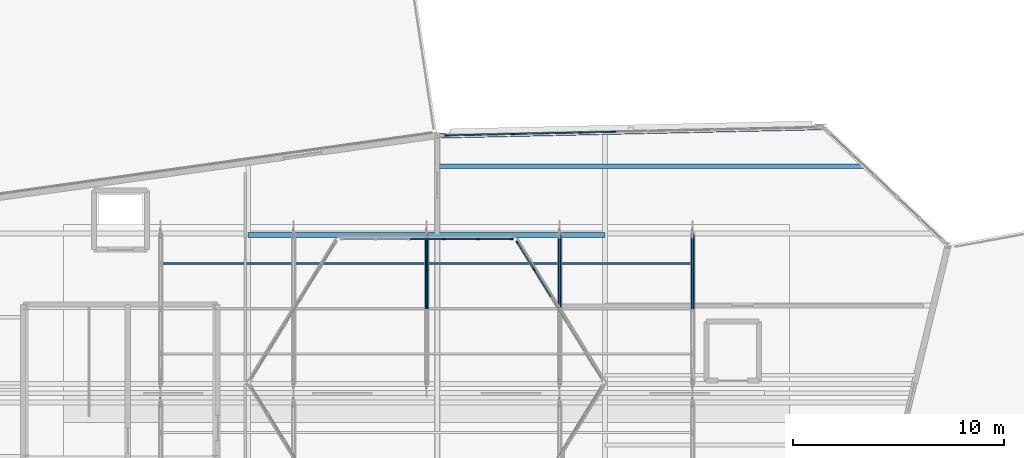
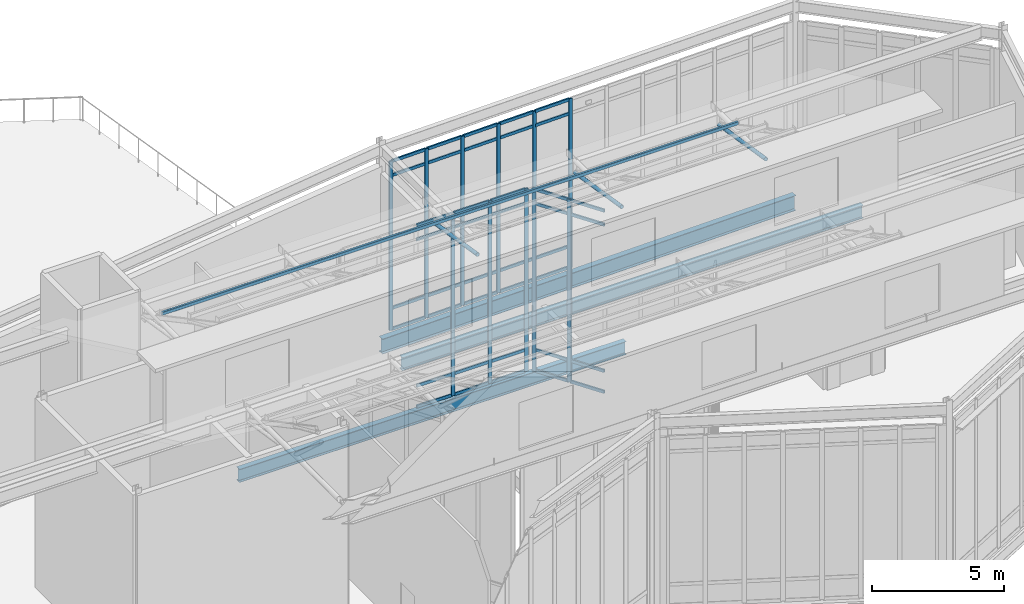
# One storey, part 29 of 66: 54 members, 4 beams, 3 elements without a shape of their own.
"""IFC4 building model written with IfcOpenShell, lengths in metres."""

from ifc_helpers import new_model, si_unit, direction, frame, origin, origin_2d, place, context, subcontext, project, spatial, rectangle, hollow_rectangle, hollow_circle, i_section, extrude, material, material_profile, profile_set, type_object, element, aggregate, save


model = new_model("IFC4")

# Units and contexts
model_context = context("Model", 3, precision=1e-05, world=origin(), true_north=direction((0.0, 1.0)))
body_context = subcontext(model_context, "Body", "Model", "MODEL_VIEW")
ifc_project = project(units=[si_unit("LENGTHUNIT", "METRE"), si_unit("AREAUNIT", "SQUARE_METRE"), si_unit("VOLUMEUNIT", "CUBIC_METRE"), si_unit("PLANEANGLEUNIT", "RADIAN"), si_unit("MASSUNIT", "GRAM", prefix="KILO")], contexts=[model_context])

# Site, building, storey
site_placement = place(None, origin())
site = spatial("IfcSite", under=ifc_project, at=site_placement, CompositionType="ELEMENT")
building_placement = place(site_placement, origin())
building = spatial("IfcBuilding", under=site, at=building_placement, Name="Tameran Prism Museum", CompositionType="ELEMENT")
storey_placement = place(building_placement, frame((0.0, 0.0, 19.800048828125)))
storey = spatial("IfcBuildingStorey", under=building, at=storey_placement, Name="L04", CompositionType="ELEMENT", Elevation=19.800048828125)

# Beams
ifc_material_1 = material(Name="Steel Grade C350L0 (350 MPa)", Category="steel")
ifc_material_profile_1 = material_profile(ifc_material_1, hollow_rectangle(XDim=0.10009765625, YDim=0.14990234375, WallThickness=0.006103515625, InnerFilletRadius=0.009033203125, OuterFilletRadius=0.014892578125, at=origin_2d()))
ifc_profile_set_1 = profile_set([ifc_material_profile_1])
beam_type_1 = type_object("IfcBeamType", Name="BM-PUR150", PredefinedType="USERDEFINED", material=ifc_profile_set_1)
beam_1_placement = place(storey_placement, frame((64.39990234375, 42.135986328125, 9.176025390625), z_axis=(1.0, 0.0, 0.0), x_axis=(0.0, 1.0, 0.0)))
element("IfcBeam", 1, at=beam_1_placement, inside=storey, type_object=beam_type_1, Name="Sawtooth Purlin PR-039", ObjectType="PURLIN", PredefinedType="USERDEFINED", context=body_context, shape_type="SweptSolid", body=[
    extrude(hollow_rectangle(XDim=0.10009765625, YDim=0.14990234375, WallThickness=0.006103515625, InnerFilletRadius=0.009033203125, OuterFilletRadius=0.014892578125, at=origin_2d()), origin(), (0.0, 0.0, 1.0), 25.2001953125),
])
ifc_material_2 = material(Name="Steel Grade 350 (350 MPa)", Category="steel")
ifc_material_profile_2 = material_profile(ifc_material_2, i_section(OverallWidth=0.25, OverallDepth=0.699951171875, WebThickness=0.010009765625, FlangeThickness=0.02001953125, at=origin_2d()))
ifc_profile_set_2 = profile_set([ifc_material_profile_2])
beam_type_2 = type_object("IfcBeamType", Name="BM-SP700", PredefinedType="SPANDREL", material=ifc_profile_set_2)
beam_2_placement = place(storey_placement, frame((95.800048828125, 48.60009765625, -0.550048828125), z_axis=(-0.999761027559, -0.021860644425, 0.0), x_axis=(0.021860644425, -0.999761027559, 0.0)))
element("IfcBeam", 2, at=beam_2_placement, inside=storey, type_object=beam_type_2, Name="Perimeter Spandrel SP-1171", PredefinedType="SPANDREL", context=body_context, shape_type="SweptSolid", body=[
    extrude(i_section(OverallWidth=0.25, OverallDepth=0.699951171875, WebThickness=0.010009765625, FlangeThickness=0.02001953125, at=origin_2d()), origin(), (0.0, 0.0, 1.0), 18.304443359375),
])
ifc_material_3 = material(Name="Steel Grade 300PLUS (300 MPa)", Category="steel")
ifc_material_profile_3 = material_profile(ifc_material_3, i_section(OverallWidth=0.22900390625, OverallDepth=0.612060546875, WebThickness=0.011962890625, FlangeThickness=0.01953125, FilletRadius=0.013916015625, at=origin_2d()))
ifc_profile_set_3 = profile_set([ifc_material_profile_3])
beam_type_3 = type_object("IfcBeamType", Name="BM-UB610A", PredefinedType="BEAM", material=ifc_profile_set_3)
beam_3_placement = place(storey_placement, frame((68.550048828125, 43.5, -0.546142578125), z_axis=(1.0, 0.0, 0.0), x_axis=(0.0, 1.0, 0.0)))
element("IfcBeam", 3, at=beam_3_placement, inside=storey, type_object=beam_type_3, Name="Atrium Transverse Trimmer ATE-1194", PredefinedType="BEAM", context=body_context, shape_type="SweptSolid", body=[
    extrude(i_section(OverallWidth=0.22900390625, OverallDepth=0.612060546875, WebThickness=0.011962890625, FlangeThickness=0.01953125, FilletRadius=0.013916015625, at=origin_2d()), origin(), (0.0, 0.0, 1.0), 16.89990234375),
])
ifc_material_4 = material(Name="Steel Grade 300PLUS (300 MPa)", Category="steel")
ifc_material_profile_4 = material_profile(ifc_material_4, i_section(OverallWidth=0.22802734375, OverallDepth=0.60693359375, WebThickness=0.01123046875, FlangeThickness=0.017333984375, FilletRadius=0.013916015625, at=origin_2d()))
ifc_profile_set_4 = profile_set([ifc_material_profile_4])
beam_type_4 = type_object("IfcBeamType", Name="BM-UB610B", PredefinedType="BEAM", material=ifc_profile_set_4)
beam_4_placement = place(storey_placement, frame((77.5400390625, 46.75, -0.503662109375), z_axis=(1.0, 0.0, 0.0), x_axis=(0.0, 1.0, 0.0)))
element("IfcBeam", 4, at=beam_4_placement, inside=storey, type_object=beam_type_4, Name="Floor Beam BM-1240", PredefinedType="BEAM", context=body_context, shape_type="SweptSolid", body=[
    extrude(i_section(OverallWidth=0.22802734375, OverallDepth=0.60693359375, WebThickness=0.01123046875, FlangeThickness=0.017333984375, FilletRadius=0.013916015625, at=origin_2d()), origin(), (0.0, 0.0, 1.0), 20.15087890625),
])

# Curtain wall, members
ifc_material_5 = material(Name="Anodised Aluminium 6063-T6 and Cyclone Solar Glass", Category="aluminium")
curtain_wall_type_1 = type_object("IfcCurtainWallType", Name="CW-ATR-769x844", PredefinedType="USERDEFINED", material=ifc_material_5)
curtain_wall_1_placement = place(storey_placement, origin())
curtain_wall_1 = element("IfcCurtainWall", 5, at=curtain_wall_1_placement, inside=storey, type_object=curtain_wall_type_1, Name="Unitised Curtain Wall CW-018", ObjectType="UNITISED CURTAIN WALL", PredefinedType="USERDEFINED")
ifc_material_6 = material(Name="Anodised Aluminium Alloy 6063-T6", Category="aluminium")
ifc_material_profile_5 = material_profile(ifc_material_6, rectangle(XDim=0.06494140625, YDim=0.159912109375, at=origin_2d()))
ifc_profile_set_5 = profile_set([ifc_material_profile_5])
member_type_1 = type_object("IfcMemberType", Name="CW-MUL-A", PredefinedType="MULLION", material=ifc_profile_set_5)
member_1_placement = place(storey_placement, frame((82.08740234375, 41.86328125, 0.0), z_axis=(0.0, 0.0, 1.0), x_axis=(-0.850791158897, -0.525503952357, 0.0)))
member_1 = element("IfcMember", 6, at=member_1_placement, type_object=member_type_1, Name="CW-018 mullion 5", PredefinedType="MULLION", context=body_context, shape_type="SweptSolid", body=[
    extrude(rectangle(XDim=0.06494140625, YDim=0.159912109375, at=origin_2d()), origin(), (0.0, 0.0, 1.0), 8.43994140625),
])
member_2_placement = place(storey_placement, frame((81.296142578125, 43.144287109375, 0.0), z_axis=(0.0, 0.0, 1.0), x_axis=(-0.850791158897, -0.525503952357, 0.0)))
member_2 = element("IfcMember", 7, at=member_2_placement, type_object=member_type_1, Name="CW-018 mullion 6", PredefinedType="MULLION", context=body_context, shape_type="SweptSolid", body=[
    extrude(rectangle(XDim=0.06494140625, YDim=0.159912109375, at=origin_2d()), origin(), (0.0, 0.0, 1.0), 8.43994140625),
])

ifc_material_7 = material(Name="Anodised Aluminium 6063-T6 and Cyclone Solar Glass", Category="aluminium")
curtain_wall_type_2 = type_object("IfcCurtainWallType", Name="CW-ATR-810x844", PredefinedType="USERDEFINED", material=ifc_material_7)
curtain_wall_2_placement = place(storey_placement, origin())
curtain_wall_2 = element("IfcCurtainWall", 8, at=curtain_wall_2_placement, inside=storey, type_object=curtain_wall_type_2, Name="Unitised Curtain Wall CW-019", ObjectType="UNITISED CURTAIN WALL", PredefinedType="USERDEFINED")
member_3_placement = place(storey_placement, frame((81.017578125, 43.300048828125, 0.0), z_axis=(0.0, 0.0, 1.0), x_axis=(0.0, -1.0, 0.0)))
member_3 = element("IfcMember", 9, at=member_3_placement, type_object=member_type_1, Name="CW-019 mullion 1", PredefinedType="MULLION", context=body_context, shape_type="SweptSolid", body=[
    extrude(rectangle(XDim=0.06494140625, YDim=0.159912109375, at=origin_2d()), origin(), (0.0, 0.0, 1.0), 8.43994140625),
])
member_4_placement = place(storey_placement, frame((79.429931640625, 43.300048828125, 0.0), z_axis=(0.0, 0.0, 1.0), x_axis=(0.0, -1.0, 0.0)))
member_4 = element("IfcMember", 10, at=member_4_placement, type_object=member_type_1, Name="CW-019 mullion 2", PredefinedType="MULLION", context=body_context, shape_type="SweptSolid", body=[
    extrude(rectangle(XDim=0.06494140625, YDim=0.159912109375, at=origin_2d()), origin(), (0.0, 0.0, 1.0), 8.43994140625),
])
member_5_placement = place(storey_placement, frame((77.81005859375, 43.300048828125, 0.0), z_axis=(0.0, 0.0, 1.0), x_axis=(0.0, -1.0, 0.0)))
member_5 = element("IfcMember", 11, at=member_5_placement, type_object=member_type_1, Name="CW-019 mullion 3", PredefinedType="MULLION", context=body_context, shape_type="SweptSolid", body=[
    extrude(rectangle(XDim=0.06494140625, YDim=0.159912109375, at=origin_2d()), origin(), (0.0, 0.0, 1.0), 8.43994140625),
])

ifc_material_8 = material(Name="Anodised Aluminium 6063-T6 and Cyclone Solar Glass", Category="aluminium")
curtain_wall_type_3 = type_object("IfcCurtainWallType", Name="CW-FAC-1754x782", PredefinedType="USERDEFINED", material=ifc_material_8)
curtain_wall_3_placement = place(storey_placement, origin())
curtain_wall_3 = element("IfcCurtainWall", 12, at=curtain_wall_3_placement, inside=storey, type_object=curtain_wall_type_3, Name="Unitised Curtain Wall CW-163", ObjectType="UNITISED CURTAIN WALL", PredefinedType="USERDEFINED")
member_6_placement = place(storey_placement, frame((77.9423828125, 48.209716796875, 0.0), z_axis=(0.0, 0.0, 1.0), x_axis=(-0.021830600058, 0.999761684053, 0.0)))
member_6 = element("IfcMember", 13, at=member_6_placement, type_object=member_type_1, Name="CW-163 mullion 1", PredefinedType="MULLION", context=body_context, shape_type="SweptSolid", body=[
    extrude(rectangle(XDim=0.06494140625, YDim=0.159912109375, at=origin_2d()), origin(), (0.0, 0.0, 1.0), 7.820068359375),
])
member_7_placement = place(storey_placement, frame((79.504638671875, 48.243896484375, 0.0), z_axis=(0.0, 0.0, 1.0), x_axis=(-0.021830600058, 0.999761684053, 0.0)))
member_7 = element("IfcMember", 14, at=member_7_placement, type_object=member_type_1, Name="CW-163 mullion 2", PredefinedType="MULLION", context=body_context, shape_type="SweptSolid", body=[
    extrude(rectangle(XDim=0.06494140625, YDim=0.159912109375, at=origin_2d()), origin(), (0.0, 0.0, 1.0), 7.820068359375),
])
member_8_placement = place(storey_placement, frame((81.09912109375, 48.278564453125, 0.0), z_axis=(0.0, 0.0, 1.0), x_axis=(-0.021830600058, 0.999761684053, 0.0)))
member_8 = element("IfcMember", 15, at=member_8_placement, type_object=member_type_1, Name="CW-163 mullion 3", PredefinedType="MULLION", context=body_context, shape_type="SweptSolid", body=[
    extrude(rectangle(XDim=0.06494140625, YDim=0.159912109375, at=origin_2d()), origin(), (0.0, 0.0, 1.0), 7.820068359375),
])
member_9_placement = place(storey_placement, frame((82.693603515625, 48.3134765625, 0.0), z_axis=(0.0, 0.0, 1.0), x_axis=(-0.021830600058, 0.999761684053, 0.0)))
member_9 = element("IfcMember", 16, at=member_9_placement, type_object=member_type_1, Name="CW-163 mullion 4", PredefinedType="MULLION", context=body_context, shape_type="SweptSolid", body=[
    extrude(rectangle(XDim=0.06494140625, YDim=0.159912109375, at=origin_2d()), origin(), (0.0, 0.0, 1.0), 7.820068359375),
])
member_10_placement = place(storey_placement, frame((84.2880859375, 48.348388671875, 0.0), z_axis=(0.0, 0.0, 1.0), x_axis=(-0.021830600058, 0.999761684053, 0.0)))
member_10 = element("IfcMember", 17, at=member_10_placement, type_object=member_type_1, Name="CW-163 mullion 5", PredefinedType="MULLION", context=body_context, shape_type="SweptSolid", body=[
    extrude(rectangle(XDim=0.06494140625, YDim=0.159912109375, at=origin_2d()), origin(), (0.0, 0.0, 1.0), 7.820068359375),
])
member_11_placement = place(storey_placement, frame((85.8828125, 48.383056640625, 0.0), z_axis=(0.0, 0.0, 1.0), x_axis=(-0.021830600058, 0.999761684053, 0.0)))
member_11 = element("IfcMember", 18, at=member_11_placement, type_object=member_type_1, Name="CW-163 mullion 6", PredefinedType="MULLION", context=body_context, shape_type="SweptSolid", body=[
    extrude(rectangle(XDim=0.06494140625, YDim=0.159912109375, at=origin_2d()), origin(), (0.0, 0.0, 1.0), 7.820068359375),
])

# Member
ifc_material_9 = material(Name="Anodised Aluminium Alloy 6063-T6", Category="aluminium")
ifc_material_profile_6 = material_profile(ifc_material_9, rectangle(XDim=0.06494140625, YDim=0.139892578125, at=origin_2d()))
ifc_profile_set_6 = profile_set([ifc_material_profile_6])
member_type_2 = type_object("IfcMemberType", Name="CW-TRN-A", PredefinedType="USERDEFINED", material=ifc_profile_set_6)
member_12_placement = place(storey_placement, frame((82.878662109375, 40.58203125, 0.032470703125), z_axis=(-0.525492880722, 0.850797997359, 0.0), x_axis=(-0.850797997359, -0.525492880722, 0.0)))
member_12 = element("IfcMember", 19, at=member_12_placement, type_object=member_type_2, Name="CW-018 transom 4.1", ObjectType="TRANSOM", PredefinedType="USERDEFINED", context=body_context, shape_type="SweptSolid", body=[
    extrude(rectangle(XDim=0.06494140625, YDim=0.139892578125, at=origin_2d()), origin(), (0.0, 0.0, 1.0), 1.47314453125),
])

member_13_placement = place(storey_placement, frame((82.878662109375, 40.58203125, 1.0), z_axis=(-0.525492880722, 0.850797997359, 0.0), x_axis=(-0.850797997359, -0.525492880722, 0.0)))
member_13 = element("IfcMember", 20, at=member_13_placement, type_object=member_type_2, Name="CW-018 transom 4.2", ObjectType="TRANSOM", PredefinedType="USERDEFINED", context=body_context, shape_type="SweptSolid", body=[
    extrude(rectangle(XDim=0.06494140625, YDim=0.139892578125, at=origin_2d()), origin(), (0.0, 0.0, 1.0), 1.47314453125),
])

member_14_placement = place(storey_placement, frame((82.878662109375, 40.58203125, 7.760009765625), z_axis=(-0.525492880722, 0.850797997359, 0.0), x_axis=(-0.850797997359, -0.525492880722, 0.0)))
member_14 = element("IfcMember", 21, at=member_14_placement, type_object=member_type_2, Name="CW-018 transom 4.3", ObjectType="TRANSOM", PredefinedType="USERDEFINED", context=body_context, shape_type="SweptSolid", body=[
    extrude(rectangle(XDim=0.06494140625, YDim=0.139892578125, at=origin_2d()), origin(), (0.0, 0.0, 1.0), 1.47314453125),
])

member_15_placement = place(storey_placement, frame((82.878662109375, 40.58203125, 8.407470703125), z_axis=(-0.525492880722, 0.850797997359, 0.0), x_axis=(-0.850797997359, -0.525492880722, 0.0)))
member_15 = element("IfcMember", 22, at=member_15_placement, type_object=member_type_2, Name="CW-018 transom 4.4", ObjectType="TRANSOM", PredefinedType="USERDEFINED", context=body_context, shape_type="SweptSolid", body=[
    extrude(rectangle(XDim=0.06494140625, YDim=0.139892578125, at=origin_2d()), origin(), (0.0, 0.0, 1.0), 1.47314453125),
])

member_16_placement = place(storey_placement, frame((82.0703125, 41.890869140625, 0.032470703125), z_axis=(-0.525467627301, 0.850813594543, 0.0), x_axis=(-0.850813594543, -0.525467627301, 0.0)))
member_16 = element("IfcMember", 23, at=member_16_placement, type_object=member_type_2, Name="CW-018 transom 5.1", ObjectType="TRANSOM", PredefinedType="USERDEFINED", context=body_context, shape_type="SweptSolid", body=[
    extrude(rectangle(XDim=0.06494140625, YDim=0.139892578125, at=origin_2d()), origin(), (0.0, 0.0, 1.0), 1.440673828125),
])

member_17_placement = place(storey_placement, frame((82.0703125, 41.890869140625, 1.0), z_axis=(-0.525467627301, 0.850813594543, 0.0), x_axis=(-0.850813594543, -0.525467627301, 0.0)))
member_17 = element("IfcMember", 24, at=member_17_placement, type_object=member_type_2, Name="CW-018 transom 5.2", ObjectType="TRANSOM", PredefinedType="USERDEFINED", context=body_context, shape_type="SweptSolid", body=[
    extrude(rectangle(XDim=0.06494140625, YDim=0.139892578125, at=origin_2d()), origin(), (0.0, 0.0, 1.0), 1.440673828125),
])

member_18_placement = place(storey_placement, frame((82.0703125, 41.890869140625, 7.760009765625), z_axis=(-0.525467627301, 0.850813594543, 0.0), x_axis=(-0.850813594543, -0.525467627301, 0.0)))
member_18 = element("IfcMember", 25, at=member_18_placement, type_object=member_type_2, Name="CW-018 transom 5.3", ObjectType="TRANSOM", PredefinedType="USERDEFINED", context=body_context, shape_type="SweptSolid", body=[
    extrude(rectangle(XDim=0.06494140625, YDim=0.139892578125, at=origin_2d()), origin(), (0.0, 0.0, 1.0), 1.440673828125),
])

member_19_placement = place(storey_placement, frame((82.0703125, 41.890869140625, 8.407470703125), z_axis=(-0.525467627301, 0.850813594543, 0.0), x_axis=(-0.850813594543, -0.525467627301, 0.0)))
member_19 = element("IfcMember", 26, at=member_19_placement, type_object=member_type_2, Name="CW-018 transom 5.4", ObjectType="TRANSOM", PredefinedType="USERDEFINED", context=body_context, shape_type="SweptSolid", body=[
    extrude(rectangle(XDim=0.06494140625, YDim=0.139892578125, at=origin_2d()), origin(), (0.0, 0.0, 1.0), 1.440673828125),
])

aggregate(curtain_wall_1, [member_1, member_2, member_12, member_13, member_14, member_15, member_16, member_17, member_18, member_19])

member_20_placement = place(storey_placement, frame((80.985107421875, 43.300048828125, 0.032470703125), z_axis=(-1.0, 0.0, 0.0), x_axis=(0.0, -1.0, 0.0)))
member_20 = element("IfcMember", 27, at=member_20_placement, type_object=member_type_2, Name="CW-019 transom 1.1", ObjectType="TRANSOM", PredefinedType="USERDEFINED", context=body_context, shape_type="SweptSolid", body=[
    extrude(rectangle(XDim=0.06494140625, YDim=0.139892578125, at=origin_2d()), origin(), (0.0, 0.0, 1.0), 1.522705078125),
])

member_21_placement = place(storey_placement, frame((80.985107421875, 43.300048828125, 1.0), z_axis=(-1.0, 0.0, 0.0), x_axis=(0.0, -1.0, 0.0)))
member_21 = element("IfcMember", 28, at=member_21_placement, type_object=member_type_2, Name="CW-019 transom 1.2", ObjectType="TRANSOM", PredefinedType="USERDEFINED", context=body_context, shape_type="SweptSolid", body=[
    extrude(rectangle(XDim=0.06494140625, YDim=0.139892578125, at=origin_2d()), origin(), (0.0, 0.0, 1.0), 1.522705078125),
])

member_22_placement = place(storey_placement, frame((80.985107421875, 43.300048828125, 7.760009765625), z_axis=(-1.0, 0.0, 0.0), x_axis=(0.0, -1.0, 0.0)))
member_22 = element("IfcMember", 29, at=member_22_placement, type_object=member_type_2, Name="CW-019 transom 1.3", ObjectType="TRANSOM", PredefinedType="USERDEFINED", context=body_context, shape_type="SweptSolid", body=[
    extrude(rectangle(XDim=0.06494140625, YDim=0.139892578125, at=origin_2d()), origin(), (0.0, 0.0, 1.0), 1.522705078125),
])

member_23_placement = place(storey_placement, frame((80.985107421875, 43.300048828125, 8.407470703125), z_axis=(-1.0, 0.0, 0.0), x_axis=(0.0, -1.0, 0.0)))
member_23 = element("IfcMember", 30, at=member_23_placement, type_object=member_type_2, Name="CW-019 transom 1.4", ObjectType="TRANSOM", PredefinedType="USERDEFINED", context=body_context, shape_type="SweptSolid", body=[
    extrude(rectangle(XDim=0.06494140625, YDim=0.139892578125, at=origin_2d()), origin(), (0.0, 0.0, 1.0), 1.522705078125),
])

member_24_placement = place(storey_placement, frame((79.3974609375, 43.300048828125, 0.032470703125), z_axis=(-1.0, 0.0, 0.0), x_axis=(0.0, -1.0, 0.0)))
member_24 = element("IfcMember", 31, at=member_24_placement, type_object=member_type_2, Name="CW-019 transom 2.1", ObjectType="TRANSOM", PredefinedType="USERDEFINED", context=body_context, shape_type="SweptSolid", body=[
    extrude(rectangle(XDim=0.06494140625, YDim=0.139892578125, at=origin_2d()), origin(), (0.0, 0.0, 1.0), 1.554931640625),
])

member_25_placement = place(storey_placement, frame((79.3974609375, 43.300048828125, 1.0), z_axis=(-1.0, 0.0, 0.0), x_axis=(0.0, -1.0, 0.0)))
member_25 = element("IfcMember", 32, at=member_25_placement, type_object=member_type_2, Name="CW-019 transom 2.2", ObjectType="TRANSOM", PredefinedType="USERDEFINED", context=body_context, shape_type="SweptSolid", body=[
    extrude(rectangle(XDim=0.06494140625, YDim=0.139892578125, at=origin_2d()), origin(), (0.0, 0.0, 1.0), 1.554931640625),
])

member_26_placement = place(storey_placement, frame((79.3974609375, 43.300048828125, 7.760009765625), z_axis=(-1.0, 0.0, 0.0), x_axis=(0.0, -1.0, 0.0)))
member_26 = element("IfcMember", 33, at=member_26_placement, type_object=member_type_2, Name="CW-019 transom 2.3", ObjectType="TRANSOM", PredefinedType="USERDEFINED", context=body_context, shape_type="SweptSolid", body=[
    extrude(rectangle(XDim=0.06494140625, YDim=0.139892578125, at=origin_2d()), origin(), (0.0, 0.0, 1.0), 1.554931640625),
])

member_27_placement = place(storey_placement, frame((79.3974609375, 43.300048828125, 8.407470703125), z_axis=(-1.0, 0.0, 0.0), x_axis=(0.0, -1.0, 0.0)))
member_27 = element("IfcMember", 34, at=member_27_placement, type_object=member_type_2, Name="CW-019 transom 2.4", ObjectType="TRANSOM", PredefinedType="USERDEFINED", context=body_context, shape_type="SweptSolid", body=[
    extrude(rectangle(XDim=0.06494140625, YDim=0.139892578125, at=origin_2d()), origin(), (0.0, 0.0, 1.0), 1.554931640625),
])

member_28_placement = place(storey_placement, frame((77.777587890625, 43.300048828125, 0.032470703125), z_axis=(-1.0, 0.0, 0.0), x_axis=(0.0, -1.0, 0.0)))
member_28 = element("IfcMember", 35, at=member_28_placement, type_object=member_type_2, Name="CW-019 transom 3.1", ObjectType="TRANSOM", PredefinedType="USERDEFINED", context=body_context, shape_type="SweptSolid", body=[
    extrude(rectangle(XDim=0.06494140625, YDim=0.139892578125, at=origin_2d()), origin(), (0.0, 0.0, 1.0), 1.55517578125),
])

member_29_placement = place(storey_placement, frame((77.777587890625, 43.300048828125, 1.0), z_axis=(-1.0, 0.0, 0.0), x_axis=(0.0, -1.0, 0.0)))
member_29 = element("IfcMember", 36, at=member_29_placement, type_object=member_type_2, Name="CW-019 transom 3.2", ObjectType="TRANSOM", PredefinedType="USERDEFINED", context=body_context, shape_type="SweptSolid", body=[
    extrude(rectangle(XDim=0.06494140625, YDim=0.139892578125, at=origin_2d()), origin(), (0.0, 0.0, 1.0), 1.55517578125),
])

member_30_placement = place(storey_placement, frame((77.777587890625, 43.300048828125, 7.760009765625), z_axis=(-1.0, 0.0, 0.0), x_axis=(0.0, -1.0, 0.0)))
member_30 = element("IfcMember", 37, at=member_30_placement, type_object=member_type_2, Name="CW-019 transom 3.3", ObjectType="TRANSOM", PredefinedType="USERDEFINED", context=body_context, shape_type="SweptSolid", body=[
    extrude(rectangle(XDim=0.06494140625, YDim=0.139892578125, at=origin_2d()), origin(), (0.0, 0.0, 1.0), 1.55517578125),
])

member_31_placement = place(storey_placement, frame((77.777587890625, 43.300048828125, 8.407470703125), z_axis=(-1.0, 0.0, 0.0), x_axis=(0.0, -1.0, 0.0)))
member_31 = element("IfcMember", 38, at=member_31_placement, type_object=member_type_2, Name="CW-019 transom 3.4", ObjectType="TRANSOM", PredefinedType="USERDEFINED", context=body_context, shape_type="SweptSolid", body=[
    extrude(rectangle(XDim=0.06494140625, YDim=0.139892578125, at=origin_2d()), origin(), (0.0, 0.0, 1.0), 1.55517578125),
])

aggregate(curtain_wall_2, [member_3, member_4, member_5, member_20, member_21, member_22, member_23, member_24, member_25, member_26, member_27, member_28, member_29, member_30, member_31])

member_32_placement = place(storey_placement, frame((77.97509765625, 48.21044921875, 0.032470703125), z_axis=(0.999761317928, 0.021847360829, 0.0), x_axis=(-0.021847360829, 0.999761317928, 0.0)))
member_32 = element("IfcMember", 39, at=member_32_placement, type_object=member_type_2, Name="CW-163 transom 1.1", ObjectType="TRANSOM", PredefinedType="USERDEFINED", context=body_context, shape_type="SweptSolid", body=[
    extrude(rectangle(XDim=0.06494140625, YDim=0.139892578125, at=origin_2d()), origin(), (0.0, 0.0, 1.0), 1.497314453125),
])

member_33_placement = place(storey_placement, frame((77.97509765625, 48.21044921875, 1.0), z_axis=(0.999761317928, 0.021847360829, 0.0), x_axis=(-0.021847360829, 0.999761317928, 0.0)))
member_33 = element("IfcMember", 40, at=member_33_placement, type_object=member_type_2, Name="CW-163 transom 1.2", ObjectType="TRANSOM", PredefinedType="USERDEFINED", context=body_context, shape_type="SweptSolid", body=[
    extrude(rectangle(XDim=0.06494140625, YDim=0.139892578125, at=origin_2d()), origin(), (0.0, 0.0, 1.0), 1.497314453125),
])

member_34_placement = place(storey_placement, frame((77.97509765625, 48.21044921875, 7.139892578125), z_axis=(0.999761317928, 0.021847360829, 0.0), x_axis=(-0.021847360829, 0.999761317928, 0.0)))
member_34 = element("IfcMember", 41, at=member_34_placement, type_object=member_type_2, Name="CW-163 transom 1.3", ObjectType="TRANSOM", PredefinedType="USERDEFINED", context=body_context, shape_type="SweptSolid", body=[
    extrude(rectangle(XDim=0.06494140625, YDim=0.139892578125, at=origin_2d()), origin(), (0.0, 0.0, 1.0), 1.497314453125),
])

member_35_placement = place(storey_placement, frame((77.97509765625, 48.21044921875, 7.787353515625), z_axis=(0.999761317928, 0.021847360829, 0.0), x_axis=(-0.021847360829, 0.999761317928, 0.0)))
member_35 = element("IfcMember", 42, at=member_35_placement, type_object=member_type_2, Name="CW-163 transom 1.4", ObjectType="TRANSOM", PredefinedType="USERDEFINED", context=body_context, shape_type="SweptSolid", body=[
    extrude(rectangle(XDim=0.06494140625, YDim=0.139892578125, at=origin_2d()), origin(), (0.0, 0.0, 1.0), 1.497314453125),
])

member_36_placement = place(storey_placement, frame((79.537109375, 48.24462890625, 0.032470703125), z_axis=(0.999764466756, 0.021702788105, 0.0), x_axis=(-0.021702788105, 0.999764466756, 0.0)))
member_36 = element("IfcMember", 43, at=member_36_placement, type_object=member_type_2, Name="CW-163 transom 2.1", ObjectType="TRANSOM", PredefinedType="USERDEFINED", context=body_context, shape_type="SweptSolid", body=[
    extrude(rectangle(XDim=0.06494140625, YDim=0.139892578125, at=origin_2d()), origin(), (0.0, 0.0, 1.0), 1.52978515625),
])

member_37_placement = place(storey_placement, frame((79.537109375, 48.24462890625, 1.0), z_axis=(0.999764466756, 0.021702788105, 0.0), x_axis=(-0.021702788105, 0.999764466756, 0.0)))
member_37 = element("IfcMember", 44, at=member_37_placement, type_object=member_type_2, Name="CW-163 transom 2.2", ObjectType="TRANSOM", PredefinedType="USERDEFINED", context=body_context, shape_type="SweptSolid", body=[
    extrude(rectangle(XDim=0.06494140625, YDim=0.139892578125, at=origin_2d()), origin(), (0.0, 0.0, 1.0), 1.52978515625),
])

member_38_placement = place(storey_placement, frame((79.537109375, 48.24462890625, 7.139892578125), z_axis=(0.999764466756, 0.021702788105, 0.0), x_axis=(-0.021702788105, 0.999764466756, 0.0)))
member_38 = element("IfcMember", 45, at=member_38_placement, type_object=member_type_2, Name="CW-163 transom 2.3", ObjectType="TRANSOM", PredefinedType="USERDEFINED", context=body_context, shape_type="SweptSolid", body=[
    extrude(rectangle(XDim=0.06494140625, YDim=0.139892578125, at=origin_2d()), origin(), (0.0, 0.0, 1.0), 1.52978515625),
])

member_39_placement = place(storey_placement, frame((79.537109375, 48.24462890625, 7.787353515625), z_axis=(0.999764466756, 0.021702788105, 0.0), x_axis=(-0.021702788105, 0.999764466756, 0.0)))
member_39 = element("IfcMember", 46, at=member_39_placement, type_object=member_type_2, Name="CW-163 transom 2.4", ObjectType="TRANSOM", PredefinedType="USERDEFINED", context=body_context, shape_type="SweptSolid", body=[
    extrude(rectangle(XDim=0.06494140625, YDim=0.139892578125, at=origin_2d()), origin(), (0.0, 0.0, 1.0), 1.52978515625),
])

member_40_placement = place(storey_placement, frame((81.131591796875, 48.279296875, 0.032470703125), z_axis=(0.999760991544, 0.021862291435, 0.0), x_axis=(-0.021862291435, 0.999760991544, 0.0)))
member_40 = element("IfcMember", 47, at=member_40_placement, type_object=member_type_2, Name="CW-163 transom 3.1", ObjectType="TRANSOM", PredefinedType="USERDEFINED", context=body_context, shape_type="SweptSolid", body=[
    extrude(rectangle(XDim=0.06494140625, YDim=0.139892578125, at=origin_2d()), origin(), (0.0, 0.0, 1.0), 1.52978515625),
])

member_41_placement = place(storey_placement, frame((81.131591796875, 48.279296875, 1.0), z_axis=(0.999760991544, 0.021862291435, 0.0), x_axis=(-0.021862291435, 0.999760991544, 0.0)))
member_41 = element("IfcMember", 48, at=member_41_placement, type_object=member_type_2, Name="CW-163 transom 3.2", ObjectType="TRANSOM", PredefinedType="USERDEFINED", context=body_context, shape_type="SweptSolid", body=[
    extrude(rectangle(XDim=0.06494140625, YDim=0.139892578125, at=origin_2d()), origin(), (0.0, 0.0, 1.0), 1.52978515625),
])

member_42_placement = place(storey_placement, frame((81.131591796875, 48.279296875, 7.139892578125), z_axis=(0.999760991544, 0.021862291435, 0.0), x_axis=(-0.021862291435, 0.999760991544, 0.0)))
member_42 = element("IfcMember", 49, at=member_42_placement, type_object=member_type_2, Name="CW-163 transom 3.3", ObjectType="TRANSOM", PredefinedType="USERDEFINED", context=body_context, shape_type="SweptSolid", body=[
    extrude(rectangle(XDim=0.06494140625, YDim=0.139892578125, at=origin_2d()), origin(), (0.0, 0.0, 1.0), 1.52978515625),
])

member_43_placement = place(storey_placement, frame((81.131591796875, 48.279296875, 7.787353515625), z_axis=(0.999760991544, 0.021862291435, 0.0), x_axis=(-0.021862291435, 0.999760991544, 0.0)))
member_43 = element("IfcMember", 50, at=member_43_placement, type_object=member_type_2, Name="CW-163 transom 3.4", ObjectType="TRANSOM", PredefinedType="USERDEFINED", context=body_context, shape_type="SweptSolid", body=[
    extrude(rectangle(XDim=0.06494140625, YDim=0.139892578125, at=origin_2d()), origin(), (0.0, 0.0, 1.0), 1.52978515625),
])

member_44_placement = place(storey_placement, frame((82.72607421875, 48.314208984375, 0.032470703125), z_axis=(0.999760991544, 0.021862291435, 0.0), x_axis=(-0.021862291435, 0.999760991544, 0.0)))
member_44 = element("IfcMember", 51, at=member_44_placement, type_object=member_type_2, Name="CW-163 transom 4.1", ObjectType="TRANSOM", PredefinedType="USERDEFINED", context=body_context, shape_type="SweptSolid", body=[
    extrude(rectangle(XDim=0.06494140625, YDim=0.139892578125, at=origin_2d()), origin(), (0.0, 0.0, 1.0), 1.52978515625),
])

member_45_placement = place(storey_placement, frame((82.72607421875, 48.314208984375, 1.0), z_axis=(0.999760991544, 0.021862291435, 0.0), x_axis=(-0.021862291435, 0.999760991544, 0.0)))
member_45 = element("IfcMember", 52, at=member_45_placement, type_object=member_type_2, Name="CW-163 transom 4.2", ObjectType="TRANSOM", PredefinedType="USERDEFINED", context=body_context, shape_type="SweptSolid", body=[
    extrude(rectangle(XDim=0.06494140625, YDim=0.139892578125, at=origin_2d()), origin(), (0.0, 0.0, 1.0), 1.52978515625),
])

member_46_placement = place(storey_placement, frame((82.72607421875, 48.314208984375, 7.139892578125), z_axis=(0.999760991544, 0.021862291435, 0.0), x_axis=(-0.021862291435, 0.999760991544, 0.0)))
member_46 = element("IfcMember", 53, at=member_46_placement, type_object=member_type_2, Name="CW-163 transom 4.3", ObjectType="TRANSOM", PredefinedType="USERDEFINED", context=body_context, shape_type="SweptSolid", body=[
    extrude(rectangle(XDim=0.06494140625, YDim=0.139892578125, at=origin_2d()), origin(), (0.0, 0.0, 1.0), 1.52978515625),
])

member_47_placement = place(storey_placement, frame((82.72607421875, 48.314208984375, 7.787353515625), z_axis=(0.999760991544, 0.021862291435, 0.0), x_axis=(-0.021862291435, 0.999760991544, 0.0)))
member_47 = element("IfcMember", 54, at=member_47_placement, type_object=member_type_2, Name="CW-163 transom 4.4", ObjectType="TRANSOM", PredefinedType="USERDEFINED", context=body_context, shape_type="SweptSolid", body=[
    extrude(rectangle(XDim=0.06494140625, YDim=0.139892578125, at=origin_2d()), origin(), (0.0, 0.0, 1.0), 1.52978515625),
])

member_48_placement = place(storey_placement, frame((84.320556640625, 48.348876953125, 0.032470703125), z_axis=(0.999761067798, 0.021858804068, 0.0), x_axis=(-0.021858804068, 0.999761067798, 0.0)))
member_48 = element("IfcMember", 55, at=member_48_placement, type_object=member_type_2, Name="CW-163 transom 5.1", ObjectType="TRANSOM", PredefinedType="USERDEFINED", context=body_context, shape_type="SweptSolid", body=[
    extrude(rectangle(XDim=0.06494140625, YDim=0.139892578125, at=origin_2d()), origin(), (0.0, 0.0, 1.0), 1.530029296875),
])

member_49_placement = place(storey_placement, frame((84.320556640625, 48.348876953125, 1.0), z_axis=(0.999761067798, 0.021858804068, 0.0), x_axis=(-0.021858804068, 0.999761067798, 0.0)))
member_49 = element("IfcMember", 56, at=member_49_placement, type_object=member_type_2, Name="CW-163 transom 5.2", ObjectType="TRANSOM", PredefinedType="USERDEFINED", context=body_context, shape_type="SweptSolid", body=[
    extrude(rectangle(XDim=0.06494140625, YDim=0.139892578125, at=origin_2d()), origin(), (0.0, 0.0, 1.0), 1.530029296875),
])

member_50_placement = place(storey_placement, frame((84.320556640625, 48.348876953125, 7.139892578125), z_axis=(0.999761067798, 0.021858804068, 0.0), x_axis=(-0.021858804068, 0.999761067798, 0.0)))
member_50 = element("IfcMember", 57, at=member_50_placement, type_object=member_type_2, Name="CW-163 transom 5.3", ObjectType="TRANSOM", PredefinedType="USERDEFINED", context=body_context, shape_type="SweptSolid", body=[
    extrude(rectangle(XDim=0.06494140625, YDim=0.139892578125, at=origin_2d()), origin(), (0.0, 0.0, 1.0), 1.530029296875),
])

member_51_placement = place(storey_placement, frame((84.320556640625, 48.348876953125, 7.787353515625), z_axis=(0.999761067798, 0.021858804068, 0.0), x_axis=(-0.021858804068, 0.999761067798, 0.0)))
member_51 = element("IfcMember", 58, at=member_51_placement, type_object=member_type_2, Name="CW-163 transom 5.4", ObjectType="TRANSOM", PredefinedType="USERDEFINED", context=body_context, shape_type="SweptSolid", body=[
    extrude(rectangle(XDim=0.06494140625, YDim=0.139892578125, at=origin_2d()), origin(), (0.0, 0.0, 1.0), 1.530029296875),
])

aggregate(curtain_wall_3, [member_6, member_7, member_8, member_9, member_10, member_11, member_32, member_33, member_34, member_35, member_36, member_37, member_38, member_39, member_40, member_41, member_42, member_43, member_44, member_45, member_46, member_47, member_48, member_49, member_50, member_51])

# Members
ifc_material_10 = material(Name="Steel Grade C350L0 (350 MPa)", Category="steel")
ifc_material_profile_7 = material_profile(ifc_material_10, hollow_circle(Radius=0.084228515625, WallThickness=0.007080078125, at=origin_2d()))
ifc_profile_set_7 = profile_set([ifc_material_profile_7])
member_type_3 = type_object("IfcMemberType", Name="MM-BR-CHS168", PredefinedType="BRACE", material=ifc_profile_set_7)
for number, where, z_axis, x_axis, name in (
    (59, (77.0, 40.0, 8.785888671875), (0.0, 0.987767358806, -0.155934745575), (-1.0, 0.0, 0.0), "Sawtooth Brace STM-0209"),
    (60, (83.300048828125, 40.0, 8.785888671875), (0.0, 0.987767358806, -0.155934745575), (-1.0, 0.0, 0.0), "Sawtooth Brace STM-0216"),
    (61, (89.60009765625, 40.0, 8.785888671875), (0.0, 0.987767358806, -0.155934745575), (-1.0, 0.0, 0.0), "Sawtooth Brace STM-0223"),
):
    element("IfcMember", number, at=place(storey_placement, frame(where, z_axis=z_axis, x_axis=x_axis)), inside=storey, type_object=member_type_3, Name=name, PredefinedType="BRACE", context=body_context, shape_type="SweptSolid", body=[
        extrude(hollow_circle(Radius=0.084228515625, WallThickness=0.007080078125, at=origin_2d()), origin(), (0.0, 0.0, 1.0), 3.604248046875),
    ])

save(model, "model.ifc")
